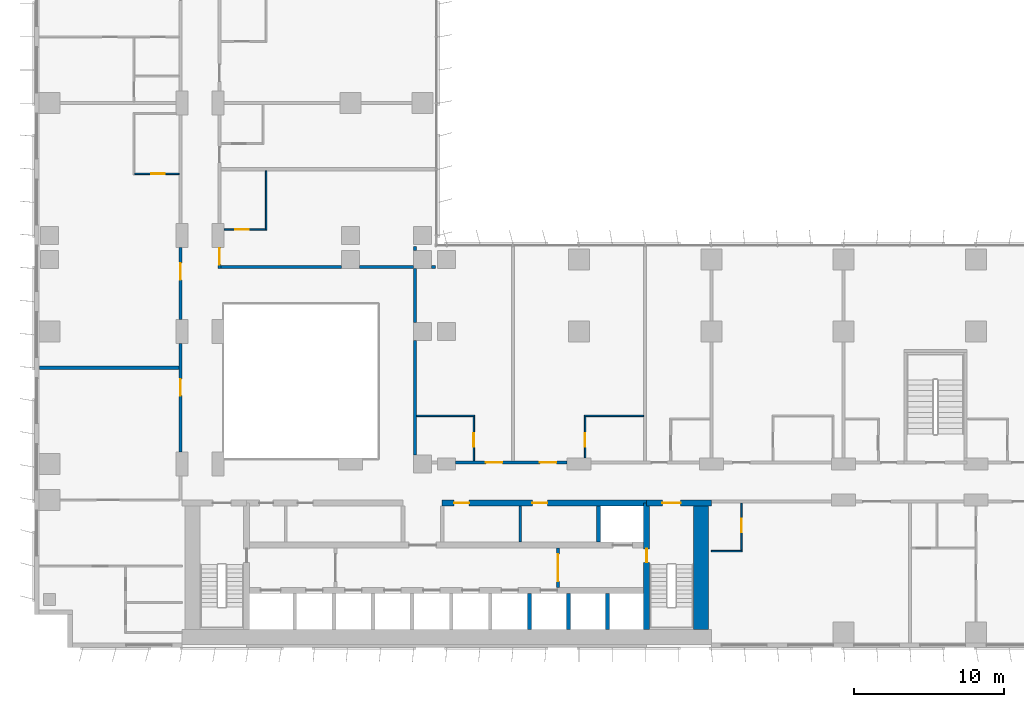
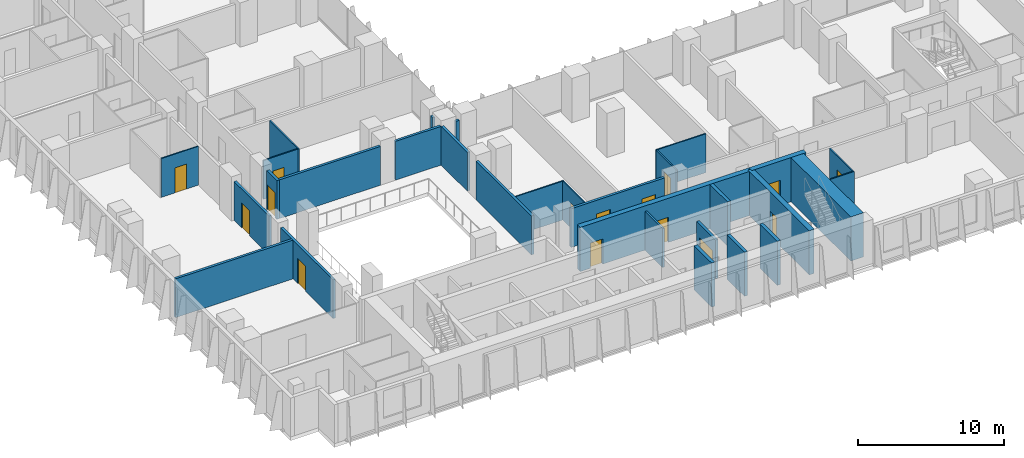
# One storey, part 13 of 24: 30 walls, 15 doors, 15 openings.
"""IFC4 building model written with IfcOpenShell, lengths in metres."""

import ifcopenshell
import ifcopenshell.guid

model = None  # the IFC model being written
_history = None  # IfcOwnerHistory: only IFC2X3 demands one
_inside = {}  # id of a spatial element -> (the spatial element, [elements in it])
_under = {}  # id of a project, library or spatial element -> (it, [spatial elements below it])
_declared = {}  # id of a project -> (the project, [libraries it declares])
_typed = {}  # id of a type object -> (the type object, [elements of that type])
_made_of = {}  # id of a material, layer set ... -> (it, [elements and type objects made of it])


def new_model(schema):
    """Start an empty IFC model of exactly this schema.

    Asked for "IFC4X3", IfcOpenShell would pick the latest addendum, in which some entities
    have other attributes; the version numbers below select the first issue.
    IFC2X3 requires an IfcOwnerHistory on every rooted entity: one is made here for all.
    """
    global model, _history
    if schema == "IFC4X3":
        model = ifcopenshell.file(schema_version=(4, 3, 0, 0))
    else:
        model = ifcopenshell.file(schema=schema)
    _inside.clear()
    _under.clear()
    _declared.clear()
    _typed.clear()
    _made_of.clear()
    _history = None
    if model.schema == "IFC2X3":
        org = make("IfcOrganization", Name="unknown")
        user = make(
            "IfcPersonAndOrganization",
            ThePerson=make("IfcPerson", FamilyName="unknown"),
            TheOrganization=org,
        )
        app = make(
            "IfcApplication",
            ApplicationDeveloper=org,
            Version="unknown",
            ApplicationFullName="unknown",
            ApplicationIdentifier="unknown",
        )
        _history = make(
            "IfcOwnerHistory",
            OwningUser=user,
            OwningApplication=app,
            ChangeAction="ADDED",
            CreationDate=0,
        )
    return model


def make(cls, **values):
    """One entity of the class cls with the attributes given. An attribute that is None is left unset."""
    return model.create_entity(
        cls, **{name: value for name, value in values.items() if value is not None}
    )


def rooted(cls, **values):
    """An entity with a GlobalId (a new one), such as an element, a storey or a relation."""
    return make(cls, GlobalId=ifcopenshell.guid.new(), OwnerHistory=_history, **values)


def si_unit(unit_type, name, prefix=None):
    """IfcSIUnit, for example si_unit("LENGTHUNIT", "METRE", prefix="MILLI")."""
    return make("IfcSIUnit", UnitType=unit_type, Prefix=prefix, Name=name)


def assignment(units):
    """IfcUnitAssignment: the units of a project."""
    return None if units is None else make("IfcUnitAssignment", Units=units)


def point(xyz):
    """IfcCartesianPoint."""
    return None if xyz is None else make("IfcCartesianPoint", Coordinates=xyz)


def direction(xyz):
    """IfcDirection."""
    return None if xyz is None else make("IfcDirection", DirectionRatios=xyz)


def frame(location, z_axis=None, x_axis=None):
    """IfcAxis2Placement3D, a coordinate frame: its origin and axes. An axis left out is left unset."""
    return make(
        "IfcAxis2Placement3D",
        Location=point(location),
        Axis=direction(z_axis),
        RefDirection=direction(x_axis),
    )


def frame_2d(location, x_axis=None):
    """IfcAxis2Placement2D, a coordinate frame in the plane: its origin and x axis."""
    return make(
        "IfcAxis2Placement2D", Location=point(location), RefDirection=direction(x_axis)
    )


def origin():
    """The frame at (0, 0, 0) with its axes left unset."""
    return frame((0.0, 0.0, 0.0))


def place(relative_to, where):
    """IfcLocalPlacement: puts the frame where relative to a parent placement (None: the world)."""
    return make(
        "IfcLocalPlacement", PlacementRelTo=relative_to, RelativePlacement=where
    )


def context(
    kind, dimensions, precision=None, world=None, true_north=None, identifier=None
):
    """IfcGeometricRepresentationContext, for example the 3D "Model" context."""
    return make(
        "IfcGeometricRepresentationContext",
        ContextIdentifier=identifier,
        ContextType=kind,
        CoordinateSpaceDimension=dimensions,
        Precision=precision,
        WorldCoordinateSystem=world,
        TrueNorth=true_north,
    )


def subcontext(parent, identifier, kind, view, scale=None):
    """IfcGeometricRepresentationSubContext, for example "Body" below "Model"."""
    return make(
        "IfcGeometricRepresentationSubContext",
        ContextIdentifier=identifier,
        ContextType=kind,
        ParentContext=parent,
        TargetScale=scale,
        TargetView=view,
    )


def project(units=None, contexts=None):
    """IfcProject with its units and contexts."""
    return rooted(
        "IfcProject",
        Name="project",
        RepresentationContexts=contexts,
        UnitsInContext=assignment(units),
    )


def spatial(cls, under=None, at=None, **own):
    """A site, building, storey or space (cls), placed at a placement, below another one or the project."""
    s = rooted(cls, ObjectPlacement=at, **own)
    if under is not None:
        _under.setdefault(under.id(), (under, []))[1].append(s)
    return s


def profile(cls, at=None, kind="AREA", **sizes):
    """A parametric profile (cls). Its sizes go by their IFC names, for example OverallWidth=200.0."""
    return make(cls, ProfileType=kind, Position=at, **sizes)


def rectangle(**sizes):
    """IfcRectangleProfileDef."""
    return profile("IfcRectangleProfileDef", **sizes)


def extrude(swept, where, along, depth):
    """IfcExtrudedAreaSolid: the profile swept, set in the frame where, extruded along a direction by depth."""
    return make(
        "IfcExtrudedAreaSolid",
        SweptArea=swept,
        Position=where,
        ExtrudedDirection=direction(along),
        Depth=depth,
    )


def shape(context_of_items, identifier, shape_type, items):
    """IfcShapeRepresentation: the items that make up one representation, for example the "Body"."""
    return make(
        "IfcShapeRepresentation",
        ContextOfItems=context_of_items,
        RepresentationIdentifier=identifier,
        RepresentationType=shape_type,
        Items=items,
    )


def material(Name=None, Category=None):
    """IfcMaterial."""
    return make("IfcMaterial", Name=Name, Category=Category)


def layer(
    of_material, thickness, ventilated=None, Name=None, Category=None, Priority=None
):
    """IfcMaterialLayer: one layer of a wall or slab, of a material (None: an air gap)."""
    return make(
        "IfcMaterialLayer",
        Material=of_material,
        LayerThickness=thickness,
        IsVentilated=ventilated,
        Name=Name,
        Category=Category,
        Priority=Priority,
    )


def layer_set(layers, Name=None):
    """IfcMaterialLayerSet."""
    return make("IfcMaterialLayerSet", MaterialLayers=layers, LayerSetName=Name)


def made_of(thing, what):
    """Note that an element or type object is made of a material, layer set ...; save() writes the relation."""
    if what is not None:
        _made_of.setdefault(what.id(), (what, []))[1].append(thing)
    return thing


def type_object(cls, material=None, **own):
    """A type object (cls), such as IfcWallType, which elements share."""
    return made_of(rooted(cls, **own), material)


def element(
    cls,
    number,
    at=None,
    inside=None,
    cuts=None,
    type_object=None,
    material=None,
    context=None,
    identifier="Body",
    shape_type=None,
    held_by="IfcProductDefinitionShape",
    body=None,
    shapes=None,
    **own,
):
    """One element of the class cls, such as IfcWall. Its Tag is "e" and its number.

    at: its placement. inside: the storey or other place that contains it. cuts: it is an
    opening in that element (IfcRelVoidsElement). A single representation is given by context,
    identifier, shape_type and body (its items); several are given by shapes. held_by: the class
    of the entity that holds the representations. save() writes the other relations.
    """
    e = rooted(cls, Tag="e%d" % number, ObjectPlacement=at, **own)
    if body is not None:
        shapes = [shape(context, identifier, shape_type, body)]
    if shapes is not None:
        e.Representation = make(held_by, Representations=shapes)
    if inside is not None:
        _inside.setdefault(inside.id(), (inside, []))[1].append(e)
    if cuts is not None:
        rooted(
            "IfcRelVoidsElement", RelatingBuildingElement=cuts, RelatedOpeningElement=e
        )
    if type_object is not None:
        _typed.setdefault(type_object.id(), (type_object, []))[1].append(e)
    return made_of(e, material)


def fill(opening, filler):
    """IfcRelFillsElement: the door or window that sits in an opening."""
    return rooted(
        "IfcRelFillsElement",
        RelatingOpeningElement=opening,
        RelatedBuildingElement=filler,
    )


def aggregate(whole, parts):
    """IfcRelAggregates: a whole, such as a stair, and the parts it consists of."""
    return rooted("IfcRelAggregates", RelatingObject=whole, RelatedObjects=parts)


def save(model, path):
    """Write the relations noted so far, then the file.

    IfcRelAggregates (storeys below a building ...), IfcRelContainedInSpatialStructure (elements
    in a storey), IfcRelDefinesByType, IfcRelAssociatesMaterial and IfcRelDeclares: one each for
    every whole, place, type object, material and project.
    """
    for whole, parts in _under.values():
        aggregate(whole, parts)
    for where, things in _inside.values():
        rooted(
            "IfcRelContainedInSpatialStructure",
            RelatedElements=things,
            RelatingStructure=where,
        )
    for kind, things in _typed.values():
        rooted("IfcRelDefinesByType", RelatedObjects=things, RelatingType=kind)
    for what, things in _made_of.values():
        rooted("IfcRelAssociatesMaterial", RelatedObjects=things, RelatingMaterial=what)
    for by, libraries in _declared.values():
        rooted("IfcRelDeclares", RelatingContext=by, RelatedDefinitions=libraries)
    model.write(path)


model = new_model("IFC4")

# Units and contexts
model_context = context("Model", 3, precision=1e-05, world=origin(), true_north=direction((0.0, 1.0)))
body_context = subcontext(model_context, "Body", "Model", "MODEL_VIEW")
ifc_project = project(units=[si_unit("LENGTHUNIT", "METRE"), si_unit("AREAUNIT", "SQUARE_METRE"), si_unit("VOLUMEUNIT", "CUBIC_METRE"), si_unit("PLANEANGLEUNIT", "RADIAN"), si_unit("MASSUNIT", "GRAM", prefix="KILO")], contexts=[model_context])

# Site, building, storey
site_placement = place(None, origin())
site = spatial("IfcSite", under=ifc_project, at=site_placement, CompositionType="ELEMENT")
building_placement = place(site_placement, origin())
building = spatial("IfcBuilding", under=site, at=building_placement, Name="Kemantara Hotel Tower", CompositionType="ELEMENT")
storey_placement = place(building_placement, frame((0.0, 0.0, 79.699951171875)))
storey = spatial("IfcBuildingStorey", under=building, at=storey_placement, Name="L18", CompositionType="ELEMENT", Elevation=79.699951171875)

# Walls
ifc_material_1 = material(Name="Concrete fc 70 MPa", Category="concrete")
ifc_layer_1 = layer(ifc_material_1, 1.0)
ifc_layer_set_1 = layer_set([ifc_layer_1], Name="Concrete fc 70 MPa")
wall_type_1 = type_object("IfcWallType", Name="CORE WALL 1000 FC70", PredefinedType="SHEAR", material=ifc_layer_set_1)
wall_1_placement = place(storey_placement, frame((44.300048828125, 1.199951171875, 0.0), z_axis=(0.0, 0.0, 1.0), x_axis=(0.0, 1.0, 0.0)))
element("IfcWall", 1, at=wall_1_placement, inside=storey, type_object=wall_type_1, Name="CORE WALL CW-E", PredefinedType="SHEAR", context=body_context, shape_type="SweptSolid", body=[
    extrude(rectangle(XDim=8.60009765625, YDim=1.0, at=frame_2d((4.300048828125, 0.0))), origin(), (0.0, 0.0, 1.0), 3.699951171875),
])
ifc_layer_2 = layer(ifc_material_1, 0.25)
ifc_layer_set_2 = layer_set([ifc_layer_2], Name="Concrete fc 70 MPa")
wall_type_2 = type_object("IfcWallType", Name="CORE WALL 250 FC70", PredefinedType="SHEAR", material=ifc_layer_set_2)
for number, where, z_axis, x_axis, name in (
    (2, (32.89990234375, 1.199951171875, 0.0), (0.0, 0.0, 1.0), (0.0, 1.0, 0.0), "CORE WALL CW-DS32.9"),
    (3, (35.5, 1.199951171875, 0.0), (0.0, 0.0, 1.0), (0.0, 1.0, 0.0), "CORE WALL CW-DS35.5"),
    (4, (38.10009765625, 1.199951171875, 0.0), (0.0, 0.0, 1.0), (0.0, 1.0, 0.0), "CORE WALL CW-DS38.1"),
):
    element("IfcWall", number, at=place(storey_placement, frame(where, z_axis=z_axis, x_axis=x_axis)), inside=storey, type_object=wall_type_2, Name=name, PredefinedType="SHEAR", context=body_context, shape_type="SweptSolid", body=[
        extrude(rectangle(XDim=2.400146484375, YDim=0.25, at=frame_2d((1.2001953125, 0.0))), origin(), (0.0, 0.0, 1.0), 3.699951171875),
    ])
wall_2_placement = place(storey_placement, frame((37.5, 7.0, 0.0), z_axis=(0.0, 0.0, 1.0), x_axis=(0.0, 1.0, 0.0)))
element("IfcWall", 5, at=wall_2_placement, inside=storey, type_object=wall_type_2, Name="CORE WALL CW-DN37.5", PredefinedType="SHEAR", context=body_context, shape_type="SweptSolid", body=[
    extrude(rectangle(XDim=2.39990234375, YDim=0.25, at=frame_2d((1.199951171875, 0.0))), origin(), (0.0, 0.0, 1.0), 3.699951171875),
])

# Wall, opening, door
ifc_layer_3 = layer(ifc_material_1, 0.39990234375)
ifc_layer_set_3 = layer_set([ifc_layer_3], Name="Concrete fc 70 MPa")
wall_type_3 = type_object("IfcWallType", Name="CORE WALL 400 FC70", PredefinedType="SHEAR", material=ifc_layer_set_3)
wall_3_placement = place(storey_placement, frame((40.699951171875, 9.60009765625, 0.0), z_axis=(0.0, 0.0, 1.0), x_axis=(1.0, 0.0, 0.0)))
wall_3 = element("IfcWall", 6, at=wall_3_placement, inside=storey, type_object=wall_type_3, Name="CORE WALL CW-N2", PredefinedType="SHEAR", context=body_context, shape_type="SweptSolid", body=[
    extrude(rectangle(XDim=4.300048828125, YDim=0.39990234375, at=frame_2d((2.14990234375, 0.0))), origin(), (0.0, 0.0, 1.0), 3.699951171875),
])
opening_1_placement = place(wall_3_placement, frame((1.050048828125, 0.0, 0.0)))
opening_1 = element("IfcOpeningElement", 7, at=opening_1_placement, cuts=wall_3, Name="Opening C13-ST2-C", PredefinedType="OPENING", context=body_context, shape_type="SweptSolid", body=[
    extrude(rectangle(XDim=1.199951171875, YDim=2.10009765625, at=frame_2d((0.60009765625, 1.050048828125))), frame((0.0, 0.2099609375, 0.0), z_axis=(0.0, -1.0, 0.0), x_axis=(1.0, 0.0, 0.0)), (0.0, 0.0, 1.0), 0.419921875),
])
ifc_material_2 = material(Name="Steel fire door", Category="steel")
door_type_1 = type_object("IfcDoorType", Name="Fire door FD90 1200 x 2100", OperationType="NOTDEFINED", PredefinedType="DOOR", material=ifc_material_2)
door_1_placement = place(opening_1_placement, frame((1.199951171875, 0.0, 0.0), z_axis=(0.0, 0.0, 1.0), x_axis=(-1.0, 0.0, 0.0)))
door_1 = element("IfcDoor", 8, at=door_1_placement, inside=storey, type_object=door_type_1, Name="Stair ST2 door to corridor", OperationType="SINGLE_SWING_RIGHT", OverallHeight=2.10009765625, OverallWidth=1.199951171875, PredefinedType="DOOR", context=body_context, shape_type="SweptSolid", body=[
    extrude(rectangle(XDim=1.199951171875, YDim=2.10009765625, at=frame_2d((0.60009765625, 1.050048828125))), frame((0.0, 0.02490234375, 0.0), z_axis=(0.0, -1.0, 0.0), x_axis=(1.0, 0.0, 0.0)), (0.0, 0.0, 1.0), 0.050048828125),
])
fill(opening_1, door_1)

# Wall, openings, doors
wall_4_placement = place(storey_placement, frame((27.10009765625, 9.60009765625, 0.0), z_axis=(0.0, 0.0, 1.0), x_axis=(1.0, 0.0, 0.0)))
wall_4 = element("IfcWall", 9, at=wall_4_placement, inside=storey, type_object=wall_type_3, Name="CORE WALL CW-NN2", PredefinedType="SHEAR", context=body_context, shape_type="SweptSolid", body=[
    extrude(rectangle(XDim=13.599853515625, YDim=0.39990234375, at=frame_2d((6.7998046875, 0.0))), origin(), (0.0, 0.0, 1.0), 3.699951171875),
])
opening_2_placement = place(wall_4_placement, frame((0.800048828125, 0.0, 0.0)))
opening_2 = element("IfcOpeningElement", 10, at=opening_2_placement, cuts=wall_4, Name="Opening C13-R-NE1", PredefinedType="OPENING", context=body_context, shape_type="SweptSolid", body=[
    extrude(rectangle(XDim=1.0, YDim=2.10009765625, at=frame_2d((0.5, 1.050048828125))), frame((0.0, 0.2099609375, 0.0), z_axis=(0.0, -1.0, 0.0), x_axis=(1.0, 0.0, 0.0)), (0.0, 0.0, 1.0), 0.419921875),
])
opening_3_placement = place(wall_4_placement, frame((6.0, 0.0, 0.0)))
opening_3 = element("IfcOpeningElement", 11, at=opening_3_placement, cuts=wall_4, Name="Opening C13-R-NE2", PredefinedType="OPENING", context=body_context, shape_type="SweptSolid", body=[
    extrude(rectangle(XDim=1.0, YDim=2.10009765625, at=frame_2d((0.5, 1.050048828125))), frame((0.0, 0.2099609375, 0.0), z_axis=(0.0, -1.0, 0.0), x_axis=(1.0, 0.0, 0.0)), (0.0, 0.0, 1.0), 0.419921875),
])
door_type_2 = type_object("IfcDoorType", Name="Fire door FD30S 1000 x 2100", OperationType="NOTDEFINED", PredefinedType="DOOR", material=ifc_material_2)
door_2_placement = place(opening_2_placement, frame((1.0, 0.0, 0.0), z_axis=(0.0, 0.0, 1.0), x_axis=(-1.0, 0.0, 0.0)))
door_2 = element("IfcDoor", 12, at=door_2_placement, inside=storey, type_object=door_type_2, Name="Staff Lounge door", OperationType="SINGLE_SWING_RIGHT", OverallHeight=2.10009765625, OverallWidth=1.0, PredefinedType="DOOR", context=body_context, shape_type="SweptSolid", body=[
    extrude(rectangle(XDim=1.0, YDim=2.10009765625, at=frame_2d((0.5, 1.050048828125))), frame((0.0, 0.02490234375, 0.0), z_axis=(0.0, -1.0, 0.0), x_axis=(1.0, 0.0, 0.0)), (0.0, 0.0, 1.0), 0.050048828125),
])
fill(opening_2, door_2)
door_type_3 = type_object("IfcDoorType", Name="Fire door FD60 1000 x 2100", OperationType="NOTDEFINED", PredefinedType="DOOR", material=ifc_material_2)
door_3_placement = place(opening_3_placement, frame((1.0, 0.0, 0.0), z_axis=(0.0, 0.0, 1.0), x_axis=(-1.0, 0.0, 0.0)))
door_3 = element("IfcDoor", 13, at=door_3_placement, inside=storey, type_object=door_type_3, Name="It Equipment Room door", OperationType="SINGLE_SWING_RIGHT", OverallHeight=2.10009765625, OverallWidth=1.0, PredefinedType="DOOR", context=body_context, shape_type="SweptSolid", body=[
    extrude(rectangle(XDim=1.0, YDim=2.10009765625, at=frame_2d((0.5, 1.050048828125))), frame((0.0, 0.02490234375, 0.0), z_axis=(0.0, -1.0, 0.0), x_axis=(1.0, 0.0, 0.0)), (0.0, 0.0, 1.0), 0.050048828125),
])
fill(opening_3, door_3)

# Wall, opening, door
wall_5_placement = place(storey_placement, frame((40.699951171875, 1.199951171875, 0.0), z_axis=(0.0, 0.0, 1.0), x_axis=(0.0, 1.0, 0.0)))
wall_5 = element("IfcWall", 14, at=wall_5_placement, inside=storey, type_object=wall_type_3, Name="CORE WALL CW-ST2W", PredefinedType="SHEAR", context=body_context, shape_type="SweptSolid", body=[
    extrude(rectangle(XDim=8.400146484375, YDim=0.39990234375, at=frame_2d((4.2001953125, 0.0))), origin(), (0.0, 0.0, 1.0), 3.699951171875),
])
opening_4_placement = place(wall_5_placement, frame((4.449951171875, 0.0, 0.0)))
opening_4 = element("IfcOpeningElement", 15, at=opening_4_placement, cuts=wall_5, Name="Opening C13-ST2-F", PredefinedType="OPENING", context=body_context, shape_type="SweptSolid", body=[
    extrude(rectangle(XDim=0.89990234375, YDim=2.10009765625, at=frame_2d((0.449951171875, 1.050048828125))), frame((0.0, 0.2099609375, 0.0), z_axis=(0.0, -1.0, 0.0), x_axis=(1.0, 0.0, 0.0)), (0.0, 0.0, 1.0), 0.419921875),
])
door_type_4 = type_object("IfcDoorType", Name="Fire door FD90 900 x 2100", OperationType="NOTDEFINED", PredefinedType="DOOR", material=ifc_material_2)
door_4_placement = place(opening_4_placement, frame((0.89990234375, 0.0, 0.0), z_axis=(0.0, 0.0, 1.0), x_axis=(-1.0, 0.0, 0.0)))
door_4 = element("IfcDoor", 16, at=door_4_placement, inside=storey, type_object=door_type_4, Name="Stair ST2 door to firefighting lobby", OperationType="SINGLE_SWING_LEFT", OverallHeight=2.10009765625, OverallWidth=0.89990234375, PredefinedType="DOOR", context=body_context, shape_type="SweptSolid", body=[
    extrude(rectangle(XDim=0.89990234375, YDim=2.10009765625, at=frame_2d((0.449951171875, 1.050048828125))), frame((0.0, 0.02490234375, 0.0), z_axis=(0.0, -1.0, 0.0), x_axis=(1.0, 0.0, 0.0)), (0.0, 0.0, 1.0), 0.050048828125),
])
fill(opening_4, door_4)

# Wall, openings, doors
ifc_material_3 = material(Name="Gypsum board partition, steel studs and mineral wool, 200 mm", Category="steel")
ifc_layer_4 = layer(ifc_material_3, 0.199951171875)
ifc_layer_set_4 = layer_set([ifc_layer_4], Name="Gypsum board partition, steel studs and mineral wool, 200 mm")
wall_type_4 = type_object("IfcWallType", Name="CORRIDOR WALL 200", PredefinedType="PARTITIONING", material=ifc_layer_set_4)
wall_6_placement = place(storey_placement, frame((28.0, 12.300048828125, 0.0), z_axis=(0.0, 0.0, 1.0), x_axis=(1.0, 0.0, 0.0)))
wall_6 = element("IfcWall", 17, at=wall_6_placement, inside=storey, type_object=wall_type_4, Name="CORRIDOR WALL 200 010", PredefinedType="PARTITIONING", context=body_context, shape_type="SweptSolid", body=[
    extrude(rectangle(XDim=7.39990234375, YDim=0.199951171875, at=frame_2d((3.699951171875, 0.0))), origin(), (0.0, 0.0, 1.0), 3.25),
])
opening_5_placement = place(wall_6_placement, frame((2.0, 0.0, 0.0)))
opening_5 = element("IfcOpeningElement", 18, at=opening_5_placement, cuts=wall_6, Name="Opening F06-013", PredefinedType="OPENING", context=body_context, shape_type="SweptSolid", body=[
    extrude(rectangle(XDim=1.10009765625, YDim=2.10009765625, at=frame_2d((0.550048828125, 1.050048828125))), frame((0.0, 0.10986328125, 0.0), z_axis=(0.0, -1.0, 0.0), x_axis=(1.0, 0.0, 0.0)), (0.0, 0.0, 1.0), 0.219970703125),
])
opening_6_placement = place(wall_6_placement, frame((5.599853515625, 0.0, 0.0)))
opening_6 = element("IfcOpeningElement", 19, at=opening_6_placement, cuts=wall_6, Name="Opening F06-015", PredefinedType="OPENING", context=body_context, shape_type="SweptSolid", body=[
    extrude(rectangle(XDim=1.10009765625, YDim=2.10009765625, at=frame_2d((0.550048828125, 1.050048828125))), frame((0.0, 0.10986328125, 0.0), z_axis=(0.0, -1.0, 0.0), x_axis=(1.0, 0.0, 0.0)), (0.0, 0.0, 1.0), 0.219970703125),
])
ifc_material_4 = material(Name="Hardwood veneer door leaf with steel frame", Category="steel")
door_type_5 = type_object("IfcDoorType", Name="SUITE ENTRANCE DOOR 1100 X 2100 FD30S", OperationType="NOTDEFINED", PredefinedType="DOOR", material=ifc_material_4)
door_5_placement = place(opening_5_placement, origin())
door_5 = element("IfcDoor", 20, at=door_5_placement, inside=storey, type_object=door_type_5, Name="SUITE ENTRANCE DOOR F06-013", OperationType="SINGLE_SWING_RIGHT", OverallHeight=2.10009765625, OverallWidth=1.10009765625, PredefinedType="DOOR", context=body_context, shape_type="SweptSolid", body=[
    extrude(rectangle(XDim=1.10009765625, YDim=2.10009765625, at=frame_2d((0.550048828125, 1.050048828125))), frame((0.0, 0.02490234375, 0.0), z_axis=(0.0, -1.0, 0.0), x_axis=(1.0, 0.0, 0.0)), (0.0, 0.0, 1.0), 0.050048828125),
])
fill(opening_5, door_5)
door_6_placement = place(opening_6_placement, origin())
door_6 = element("IfcDoor", 21, at=door_6_placement, inside=storey, type_object=door_type_5, Name="SUITE ENTRANCE DOOR F06-015", OperationType="SINGLE_SWING_LEFT", OverallHeight=2.10009765625, OverallWidth=1.10009765625, PredefinedType="DOOR", context=body_context, shape_type="SweptSolid", body=[
    extrude(rectangle(XDim=1.10009765625, YDim=2.10009765625, at=frame_2d((0.550048828125, 1.050048828125))), frame((0.0, 0.02490234375, 0.0), z_axis=(0.0, -1.0, 0.0), x_axis=(1.0, 0.0, 0.0)), (0.0, 0.0, 1.0), 0.050048828125),
])
fill(opening_6, door_6)

# Wall, opening, door
wall_7_placement = place(storey_placement, frame((9.699951171875, 13.0, 0.0), z_axis=(0.0, 0.0, 1.0), x_axis=(0.0, 1.0, 0.0)))
wall_7 = element("IfcWall", 22, at=wall_7_placement, inside=storey, type_object=wall_type_4, Name="CORRIDOR WALL 200 026", PredefinedType="PARTITIONING", context=body_context, shape_type="SweptSolid", body=[
    extrude(rectangle(XDim=7.199951171875, YDim=0.199951171875, at=frame_2d((3.60009765625, 0.0))), origin(), (0.0, 0.0, 1.0), 3.25),
])
opening_7_placement = place(wall_7_placement, frame((3.75, 0.0, 0.0)))
opening_7 = element("IfcOpeningElement", 23, at=opening_7_placement, cuts=wall_7, Name="Opening F06-029", PredefinedType="OPENING", context=body_context, shape_type="SweptSolid", body=[
    extrude(rectangle(XDim=1.10009765625, YDim=2.10009765625, at=frame_2d((0.550048828125, 1.050048828125))), frame((0.0, 0.10986328125, 0.0), z_axis=(0.0, -1.0, 0.0), x_axis=(1.0, 0.0, 0.0)), (0.0, 0.0, 1.0), 0.219970703125),
])
door_7_placement = place(opening_7_placement, origin())
door_7 = element("IfcDoor", 24, at=door_7_placement, inside=storey, type_object=door_type_5, Name="SUITE ENTRANCE DOOR F06-029", OperationType="SINGLE_SWING_RIGHT", OverallHeight=2.10009765625, OverallWidth=1.10009765625, PredefinedType="DOOR", context=body_context, shape_type="SweptSolid", body=[
    extrude(rectangle(XDim=1.10009765625, YDim=2.10009765625, at=frame_2d((0.550048828125, 1.050048828125))), frame((0.0, 0.02490234375, 0.0), z_axis=(0.0, -1.0, 0.0), x_axis=(1.0, 0.0, 0.0)), (0.0, 0.0, 1.0), 0.050048828125),
])
fill(opening_7, door_7)

wall_8_placement = place(storey_placement, frame((9.699951171875, 21.800048828125, 0.0), z_axis=(0.0, 0.0, 1.0), x_axis=(0.0, 1.0, 0.0)))
wall_8 = element("IfcWall", 25, at=wall_8_placement, inside=storey, type_object=wall_type_4, Name="CORRIDOR WALL 200 027", PredefinedType="PARTITIONING", context=body_context, shape_type="SweptSolid", body=[
    extrude(rectangle(XDim=4.7998046875, YDim=0.199951171875, at=frame_2d((2.39990234375, 0.0))), origin(), (0.0, 0.0, 1.0), 3.25),
])
opening_8_placement = place(wall_8_placement, frame((2.64990234375, 0.0, 0.0)))
opening_8 = element("IfcOpeningElement", 26, at=opening_8_placement, cuts=wall_8, Name="Opening F06-034", PredefinedType="OPENING", context=body_context, shape_type="SweptSolid", body=[
    extrude(rectangle(XDim=1.10009765625, YDim=2.10009765625, at=frame_2d((0.550048828125, 1.050048828125))), frame((0.0, 0.10986328125, 0.0), z_axis=(0.0, -1.0, 0.0), x_axis=(1.0, 0.0, 0.0)), (0.0, 0.0, 1.0), 0.219970703125),
])
door_8_placement = place(opening_8_placement, origin())
door_8 = element("IfcDoor", 27, at=door_8_placement, inside=storey, type_object=door_type_5, Name="SUITE ENTRANCE DOOR F06-034", OperationType="SINGLE_SWING_LEFT", OverallHeight=2.10009765625, OverallWidth=1.10009765625, PredefinedType="DOOR", context=body_context, shape_type="SweptSolid", body=[
    extrude(rectangle(XDim=1.10009765625, YDim=2.10009765625, at=frame_2d((0.550048828125, 1.050048828125))), frame((0.0, 0.02490234375, 0.0), z_axis=(0.0, -1.0, 0.0), x_axis=(1.0, 0.0, 0.0)), (0.0, 0.0, 1.0), 0.050048828125),
])
fill(opening_8, door_8)

wall_9_placement = place(storey_placement, frame((12.300048828125, 26.599853515625, 0.0), z_axis=(0.0, 0.0, 1.0), x_axis=(0.0, -1.0, 0.0)))
wall_9 = element("IfcWall", 28, at=wall_9_placement, inside=storey, type_object=wall_type_4, Name="CORRIDOR WALL 200 044", PredefinedType="PARTITIONING", context=body_context, shape_type="SweptSolid", body=[
    extrude(rectangle(XDim=1.39990234375, YDim=0.199951171875, at=frame_2d((0.699951171875, 0.0))), origin(), (0.0, 0.0, 1.0), 3.25),
])
opening_9_placement = place(wall_9_placement, frame((0.0498046875, 0.0, 0.0)))
opening_9 = element("IfcOpeningElement", 29, at=opening_9_placement, cuts=wall_9, Name="Opening F06-052", PredefinedType="OPENING", context=body_context, shape_type="SweptSolid", body=[
    extrude(rectangle(XDim=1.10009765625, YDim=2.10009765625, at=frame_2d((0.550048828125, 1.050048828125))), frame((0.0, 0.10986328125, 0.0), z_axis=(0.0, -1.0, 0.0), x_axis=(1.0, 0.0, 0.0)), (0.0, 0.0, 1.0), 0.219970703125),
])
door_9_placement = place(opening_9_placement, origin())
door_9 = element("IfcDoor", 30, at=door_9_placement, inside=storey, type_object=door_type_5, Name="SUITE ENTRANCE DOOR F06-052", OperationType="SINGLE_SWING_RIGHT", OverallHeight=2.10009765625, OverallWidth=1.10009765625, PredefinedType="DOOR", context=body_context, shape_type="SweptSolid", body=[
    extrude(rectangle(XDim=1.10009765625, YDim=2.10009765625, at=frame_2d((0.550048828125, 1.050048828125))), frame((0.0, 0.02490234375, 0.0), z_axis=(0.0, -1.0, 0.0), x_axis=(1.0, 0.0, 0.0)), (0.0, 0.0, 1.0), 0.050048828125),
])
fill(opening_9, door_9)

# Walls
ifc_layer_5 = layer(ifc_material_3, 0.199951171875)
ifc_layer_set_5 = layer_set([ifc_layer_5], Name="Gypsum board partition, steel studs and mineral wool, 200 mm")
wall_type_5 = type_object("IfcWallType", Name="GUEST ROOM PARTY WALL 200", PredefinedType="PARTITIONING", material=ifc_layer_set_5)
wall_10_placement = place(storey_placement, frame((25.300048828125, 12.800048828125, 0.0), z_axis=(0.0, 0.0, 1.0), x_axis=(0.0, 1.0, 0.0)))
element("IfcWall", 31, at=wall_10_placement, inside=storey, type_object=wall_type_5, Name="GUEST ROOM PARTY WALL 200 016", PredefinedType="PARTITIONING", context=body_context, shape_type="SweptSolid", body=[
    extrude(rectangle(XDim=7.599853515625, YDim=0.199951171875, at=frame_2d((3.7998046875, 0.0))), origin(), (0.0, 0.0, 1.0), 3.25),
])
wall_11_placement = place(storey_placement, frame((25.300048828125, 21.60009765625, 0.0), z_axis=(0.0, 0.0, 1.0), x_axis=(0.0, 1.0, 0.0)))
element("IfcWall", 32, at=wall_11_placement, inside=storey, type_object=wall_type_5, Name="GUEST ROOM PARTY WALL 200 017", PredefinedType="PARTITIONING", context=body_context, shape_type="SweptSolid", body=[
    extrude(rectangle(XDim=3.599853515625, YDim=0.199951171875, at=frame_2d((1.7998046875, 0.0))), origin(), (0.0, 0.0, 1.0), 3.25),
])
wall_12_placement = place(storey_placement, frame((25.300048828125, 26.400146484375, 0.0), z_axis=(0.0, 0.0, 1.0), x_axis=(0.0, 1.0, 0.0)))
element("IfcWall", 33, at=wall_12_placement, inside=storey, type_object=wall_type_5, Name="GUEST ROOM PARTY WALL 200 018", PredefinedType="PARTITIONING", context=body_context, shape_type="SweptSolid", body=[
    extrude(rectangle(XDim=0.269775390625, YDim=0.199951171875, at=frame_2d((0.134765625, 0.0))), origin(), (0.0, 0.0, 1.0), 3.25),
])
wall_13_placement = place(storey_placement, frame((0.31005859375, 18.60009765625, 0.0), z_axis=(0.0, 0.0, 1.0), x_axis=(1.0, 0.0, 0.0)))
element("IfcWall", 34, at=wall_13_placement, inside=storey, type_object=wall_type_5, Name="GUEST ROOM PARTY WALL 200 034", PredefinedType="PARTITIONING", context=body_context, shape_type="SweptSolid", body=[
    extrude(rectangle(XDim=9.2900390625, YDim=0.199951171875, at=frame_2d((4.64501953125, 0.0))), origin(), (0.0, 0.0, 1.0), 3.25),
])
wall_14_placement = place(storey_placement, frame((12.39990234375, 25.300048828125, 0.0), z_axis=(0.0, 0.0, 1.0), x_axis=(1.0, 0.0, 0.0)))
element("IfcWall", 35, at=wall_14_placement, inside=storey, type_object=wall_type_5, Name="GUEST ROOM PARTY WALL 200 051", PredefinedType="PARTITIONING", context=body_context, shape_type="SweptSolid", body=[
    extrude(rectangle(XDim=8.0, YDim=0.199951171875, at=frame_2d((4.0, 0.0))), origin(), (0.0, 0.0, 1.0), 3.25),
])
wall_15_placement = place(storey_placement, frame((21.60009765625, 25.300048828125, 0.0), z_axis=(0.0, 0.0, 1.0), x_axis=(1.0, 0.0, 0.0)))
element("IfcWall", 36, at=wall_15_placement, inside=storey, type_object=wall_type_5, Name="GUEST ROOM PARTY WALL 200 052", PredefinedType="PARTITIONING", context=body_context, shape_type="SweptSolid", body=[
    extrude(rectangle(XDim=3.599853515625, YDim=0.199951171875, at=frame_2d((1.7998046875, 0.0))), origin(), (0.0, 0.0, 1.0), 3.25),
])
wall_16_placement = place(storey_placement, frame((26.400146484375, 25.300048828125, 0.0), z_axis=(0.0, 0.0, 1.0), x_axis=(1.0, 0.0, 0.0)))
element("IfcWall", 37, at=wall_16_placement, inside=storey, type_object=wall_type_5, Name="GUEST ROOM PARTY WALL 200 053", PredefinedType="PARTITIONING", context=body_context, shape_type="SweptSolid", body=[
    extrude(rectangle(XDim=0.269775390625, YDim=0.199951171875, at=frame_2d((0.134765625, 0.0))), origin(), (0.0, 0.0, 1.0), 3.25),
])
ifc_material_5 = material(Name="Gypsum board partition")
ifc_layer_6 = layer(ifc_material_5, 0.14990234375)
ifc_layer_set_6 = layer_set([ifc_layer_6], Name="Gypsum board partition")
wall_type_6 = type_object("IfcWallType", Name="Gypsum board partition 150 mm", PredefinedType="PARTITIONING", material=ifc_layer_set_6)
wall_17_placement = place(storey_placement, frame((32.300048828125, 7.0, 0.0), z_axis=(0.0, 0.0, 1.0), x_axis=(0.0, 1.0, 0.0)))
element("IfcWall", 38, at=wall_17_placement, inside=storey, type_object=wall_type_6, Name="Core room partition", PredefinedType="PARTITIONING", context=body_context, shape_type="SweptSolid", body=[
    extrude(rectangle(XDim=2.39990234375, YDim=0.14990234375, at=frame_2d((1.199951171875, 0.0))), origin(), (0.0, 0.0, 1.0), 3.25),
])

# Wall, opening, door
ifc_material_6 = material(Name="Gypsum board shaft wall")
ifc_layer_7 = layer(ifc_material_6, 0.199951171875)
ifc_layer_set_7 = layer_set([ifc_layer_7], Name="Gypsum board shaft wall")
wall_type_7 = type_object("IfcWallType", Name="Gypsum board shaft wall 200 mm", PredefinedType="PARTITIONING", material=ifc_layer_set_7)
wall_18_placement = place(storey_placement, frame((34.800048828125, 4.0, 0.0), z_axis=(0.0, 0.0, 1.0), x_axis=(0.0, 1.0, 0.0)))
wall_18 = element("IfcWall", 39, at=wall_18_placement, inside=storey, type_object=wall_type_7, Name="Firefighting lobby partition east", PredefinedType="PARTITIONING", context=body_context, shape_type="SweptSolid", body=[
    extrude(rectangle(XDim=2.60009765625, YDim=0.199951171875, at=frame_2d((1.300048828125, 0.0))), origin(), (0.0, 0.0, 1.0), 3.25),
])
opening_10_placement = place(wall_18_placement, frame((0.39990234375, 0.0, 0.0)))
opening_10 = element("IfcOpeningElement", 40, at=opening_10_placement, cuts=wall_18, Name="Opening C13-FFE", PredefinedType="OPENING", context=body_context, shape_type="SweptSolid", body=[
    extrude(rectangle(XDim=1.800048828125, YDim=2.10009765625, at=frame_2d((0.89990234375, 1.050048828125))), frame((0.0, 0.10986328125, 0.0), z_axis=(0.0, -1.0, 0.0), x_axis=(1.0, 0.0, 0.0)), (0.0, 0.0, 1.0), 0.219970703125),
])
door_type_6 = type_object("IfcDoorType", Name="Fire door pair FD60 1800 x 2100", OperationType="DOUBLE_DOOR_SINGLE_SWING", PredefinedType="DOOR", material=ifc_material_2)
door_10_placement = place(opening_10_placement, frame((1.800048828125, 0.0, 0.0), z_axis=(0.0, 0.0, 1.0), x_axis=(-1.0, 0.0, 0.0)))
door_10 = element("IfcDoor", 41, at=door_10_placement, inside=storey, type_object=door_type_6, Name="Firefighting lobby door east", OperationType="DOUBLE_DOOR_SINGLE_SWING", OverallHeight=2.10009765625, OverallWidth=1.800048828125, PredefinedType="DOOR", context=body_context, shape_type="SweptSolid", body=[
    extrude(rectangle(XDim=1.800048828125, YDim=2.10009765625, at=frame_2d((0.89990234375, 1.050048828125))), frame((0.0, 0.02490234375, 0.0), z_axis=(0.0, -1.0, 0.0), x_axis=(1.0, 0.0, 0.0)), (0.0, 0.0, 1.0), 0.050048828125),
])
fill(opening_10, door_10)

# Wall
ifc_material_7 = material(Name="Gypsum board partition on steel studs, 100 mm", Category="steel")
ifc_layer_8 = layer(ifc_material_7, 0.10009765625)
ifc_layer_set_8 = layer_set([ifc_layer_8], Name="Gypsum board partition on steel studs, 100 mm")
wall_type_8 = type_object("IfcWallType", Name="ROOM PARTITION 100", PredefinedType="PARTITIONING", material=ifc_layer_set_8)
wall_19_placement = place(storey_placement, frame((45.0, 6.39990234375, 0.0), z_axis=(0.0, 0.0, 1.0), x_axis=(1.0, 0.0, 0.0)))
element("IfcWall", 42, at=wall_19_placement, inside=storey, type_object=wall_type_8, Name="ROOM PARTITION 100 058", PredefinedType="PARTITIONING", context=body_context, shape_type="SweptSolid", body=[
    extrude(rectangle(XDim=2.050048828125, YDim=0.10009765625, at=frame_2d((1.02490234375, 0.0))), origin(), (0.0, 0.0, 1.0), 3.25),
])

# Wall, opening, door
wall_20_placement = place(storey_placement, frame((47.0, 6.449951171875, 0.0), z_axis=(0.0, 0.0, 1.0), x_axis=(0.0, 1.0, 0.0)))
wall_20 = element("IfcWall", 43, at=wall_20_placement, inside=storey, type_object=wall_type_8, Name="ROOM PARTITION 100 059", PredefinedType="PARTITIONING", context=body_context, shape_type="SweptSolid", body=[
    extrude(rectangle(XDim=3.150146484375, YDim=0.10009765625, at=frame_2d((1.5751953125, 0.0))), origin(), (0.0, 0.0, 1.0), 3.25),
])
opening_11_placement = place(wall_20_placement, frame((1.199951171875, 0.0, 0.0)))
opening_11 = element("IfcOpeningElement", 44, at=opening_11_placement, cuts=wall_20, Name="Opening F06-002", PredefinedType="OPENING", context=body_context, shape_type="SweptSolid", body=[
    extrude(rectangle(XDim=0.89990234375, YDim=2.10009765625, at=frame_2d((0.449951171875, 1.050048828125))), frame((0.0, 0.06005859375, 0.0), z_axis=(0.0, -1.0, 0.0), x_axis=(1.0, 0.0, 0.0)), (0.0, 0.0, 1.0), 0.1201171875),
])
door_type_7 = type_object("IfcDoorType", Name="PANTRY DOOR 900 X 2100", OperationType="NOTDEFINED", PredefinedType="DOOR", material=ifc_material_4)
door_11_placement = place(opening_11_placement, origin())
door_11 = element("IfcDoor", 45, at=door_11_placement, inside=storey, type_object=door_type_7, Name="PANTRY DOOR F06-002", OperationType="SINGLE_SWING_RIGHT", OverallHeight=2.10009765625, OverallWidth=0.89990234375, PredefinedType="DOOR", context=body_context, shape_type="SweptSolid", body=[
    extrude(rectangle(XDim=0.89990234375, YDim=2.10009765625, at=frame_2d((0.449951171875, 1.050048828125))), frame((0.0, 0.02490234375, 0.0), z_axis=(0.0, -1.0, 0.0), x_axis=(1.0, 0.0, 0.0)), (0.0, 0.0, 1.0), 0.050048828125),
])
fill(opening_11, door_11)

# Walls
wall_21_placement = place(storey_placement, frame((25.39990234375, 15.39990234375, 0.0), z_axis=(0.0, 0.0, 1.0), x_axis=(1.0, 0.0, 0.0)))
element("IfcWall", 46, at=wall_21_placement, inside=storey, type_object=wall_type_8, Name="ROOM PARTITION 100 068", PredefinedType="PARTITIONING", context=body_context, shape_type="SweptSolid", body=[
    extrude(rectangle(XDim=3.85009765625, YDim=0.10009765625, at=frame_2d((1.925048828125, 0.0))), origin(), (0.0, 0.0, 1.0), 3.25),
])
wall_22_placement = place(storey_placement, frame((36.550048828125, 15.39990234375, 0.0), z_axis=(0.0, 0.0, 1.0), x_axis=(1.0, 0.0, 0.0)))
element("IfcWall", 47, at=wall_22_placement, inside=storey, type_object=wall_type_8, Name="ROOM PARTITION 100 069", PredefinedType="PARTITIONING", context=body_context, shape_type="SweptSolid", body=[
    extrude(rectangle(XDim=3.949951171875, YDim=0.10009765625, at=frame_2d((1.97509765625, 0.0))), origin(), (0.0, 0.0, 1.0), 3.25),
])

# Wall, opening, door
wall_23_placement = place(storey_placement, frame((29.199951171875, 12.39990234375, 0.0), z_axis=(0.0, 0.0, 1.0), x_axis=(0.0, 1.0, 0.0)))
wall_23 = element("IfcWall", 48, at=wall_23_placement, inside=storey, type_object=wall_type_8, Name="ROOM PARTITION 100 071", PredefinedType="PARTITIONING", context=body_context, shape_type="SweptSolid", body=[
    extrude(rectangle(XDim=2.9501953125, YDim=0.10009765625, at=frame_2d((1.47509765625, 0.0))), origin(), (0.0, 0.0, 1.0), 3.25),
])
opening_12_placement = place(wall_23_placement, frame((0.949951171875, 0.0, 0.0)))
opening_12 = element("IfcOpeningElement", 49, at=opening_12_placement, cuts=wall_23, Name="Opening F06-014", PredefinedType="OPENING", context=body_context, shape_type="SweptSolid", body=[
    extrude(rectangle(XDim=0.89990234375, YDim=2.10009765625, at=frame_2d((0.449951171875, 1.050048828125))), frame((0.0, 0.06005859375, 0.0), z_axis=(0.0, -1.0, 0.0), x_axis=(1.0, 0.0, 0.0)), (0.0, 0.0, 1.0), 0.1201171875),
])
door_type_8 = type_object("IfcDoorType", Name="BATHROOM DOOR 900 X 2100", OperationType="NOTDEFINED", PredefinedType="DOOR", material=ifc_material_4)
door_12_placement = place(opening_12_placement, origin())
door_12 = element("IfcDoor", 50, at=door_12_placement, inside=storey, type_object=door_type_8, Name="BATHROOM DOOR F06-014", OperationType="SINGLE_SWING_LEFT", OverallHeight=2.10009765625, OverallWidth=0.89990234375, PredefinedType="DOOR", context=body_context, shape_type="SweptSolid", body=[
    extrude(rectangle(XDim=0.89990234375, YDim=2.10009765625, at=frame_2d((0.449951171875, 1.050048828125))), frame((0.0, 0.02490234375, 0.0), z_axis=(0.0, -1.0, 0.0), x_axis=(1.0, 0.0, 0.0)), (0.0, 0.0, 1.0), 0.050048828125),
])
fill(opening_12, door_12)

wall_24_placement = place(storey_placement, frame((36.60009765625, 15.35009765625, 0.0), z_axis=(0.0, 0.0, 1.0), x_axis=(0.0, -1.0, 0.0)))
wall_24 = element("IfcWall", 51, at=wall_24_placement, inside=storey, type_object=wall_type_8, Name="ROOM PARTITION 100 072", PredefinedType="PARTITIONING", context=body_context, shape_type="SweptSolid", body=[
    extrude(rectangle(XDim=2.75, YDim=0.10009765625, at=frame_2d((1.375, 0.0))), origin(), (0.0, 0.0, 1.0), 3.25),
])
opening_13_placement = place(wall_24_placement, frame((1.10009765625, 0.0, 0.0)))
opening_13 = element("IfcOpeningElement", 52, at=opening_13_placement, cuts=wall_24, Name="Opening F06-016", PredefinedType="OPENING", context=body_context, shape_type="SweptSolid", body=[
    extrude(rectangle(XDim=0.89990234375, YDim=2.10009765625, at=frame_2d((0.449951171875, 1.050048828125))), frame((0.0, 0.06005859375, 0.0), z_axis=(0.0, -1.0, 0.0), x_axis=(1.0, 0.0, 0.0)), (0.0, 0.0, 1.0), 0.1201171875),
])
door_13_placement = place(opening_13_placement, origin())
door_13 = element("IfcDoor", 53, at=door_13_placement, inside=storey, type_object=door_type_8, Name="BATHROOM DOOR F06-016", OperationType="SINGLE_SWING_RIGHT", OverallHeight=2.10009765625, OverallWidth=0.89990234375, PredefinedType="DOOR", context=body_context, shape_type="SweptSolid", body=[
    extrude(rectangle(XDim=0.89990234375, YDim=2.10009765625, at=frame_2d((0.449951171875, 1.050048828125))), frame((0.0, 0.02490234375, 0.0), z_axis=(0.0, -1.0, 0.0), x_axis=(1.0, 0.0, 0.0)), (0.0, 0.0, 1.0), 0.050048828125),
])
fill(opening_13, door_13)

wall_25_placement = place(storey_placement, frame((6.64990234375, 31.5, 0.0), z_axis=(0.0, 0.0, 1.0), x_axis=(1.0, 0.0, 0.0)))
wall_25 = element("IfcWall", 54, at=wall_25_placement, inside=storey, type_object=wall_type_8, Name="ROOM PARTITION 100 095", PredefinedType="PARTITIONING", context=body_context, shape_type="SweptSolid", body=[
    extrude(rectangle(XDim=2.9501953125, YDim=0.10009765625, at=frame_2d((1.47509765625, 0.0))), origin(), (0.0, 0.0, 1.0), 3.25),
])
opening_14_placement = place(wall_25_placement, frame((1.10009765625, 0.0, 0.0)))
opening_14 = element("IfcOpeningElement", 55, at=opening_14_placement, cuts=wall_25, Name="Opening F06-035", PredefinedType="OPENING", context=body_context, shape_type="SweptSolid", body=[
    extrude(rectangle(XDim=0.89990234375, YDim=2.10009765625, at=frame_2d((0.449951171875, 1.050048828125))), frame((0.0, 0.06005859375, 0.0), z_axis=(0.0, -1.0, 0.0), x_axis=(1.0, 0.0, 0.0)), (0.0, 0.0, 1.0), 0.1201171875),
])
door_14_placement = place(opening_14_placement, origin())
door_14 = element("IfcDoor", 56, at=door_14_placement, inside=storey, type_object=door_type_8, Name="BATHROOM DOOR F06-035", OperationType="SINGLE_SWING_RIGHT", OverallHeight=2.10009765625, OverallWidth=0.89990234375, PredefinedType="DOOR", context=body_context, shape_type="SweptSolid", body=[
    extrude(rectangle(XDim=0.89990234375, YDim=2.10009765625, at=frame_2d((0.449951171875, 1.050048828125))), frame((0.0, 0.02490234375, 0.0), z_axis=(0.0, -1.0, 0.0), x_axis=(1.0, 0.0, 0.0)), (0.0, 0.0, 1.0), 0.050048828125),
])
fill(opening_14, door_14)

# Wall
wall_26_placement = place(storey_placement, frame((15.39990234375, 27.75, 0.0), z_axis=(0.0, 0.0, 1.0), x_axis=(0.0, 1.0, 0.0)))
element("IfcWall", 57, at=wall_26_placement, inside=storey, type_object=wall_type_8, Name="ROOM PARTITION 100 106", PredefinedType="PARTITIONING", context=body_context, shape_type="SweptSolid", body=[
    extrude(rectangle(XDim=3.949951171875, YDim=0.10009765625, at=frame_2d((1.97509765625, 0.0))), origin(), (0.0, 0.0, 1.0), 3.25),
])

# Wall, opening, door
wall_27_placement = place(storey_placement, frame((12.60009765625, 27.800048828125, 0.0), z_axis=(0.0, 0.0, 1.0), x_axis=(1.0, 0.0, 0.0)))
wall_27 = element("IfcWall", 58, at=wall_27_placement, inside=storey, type_object=wall_type_8, Name="ROOM PARTITION 100 110", PredefinedType="PARTITIONING", context=body_context, shape_type="SweptSolid", body=[
    extrude(rectangle(XDim=2.75, YDim=0.10009765625, at=frame_2d((1.375, 0.0))), origin(), (0.0, 0.0, 1.0), 3.25),
])
opening_15_placement = place(wall_27_placement, frame((0.75, 0.0, 0.0)))
opening_15 = element("IfcOpeningElement", 59, at=opening_15_placement, cuts=wall_27, Name="Opening F06-053", PredefinedType="OPENING", context=body_context, shape_type="SweptSolid", body=[
    extrude(rectangle(XDim=0.89990234375, YDim=2.10009765625, at=frame_2d((0.449951171875, 1.050048828125))), frame((0.0, 0.06005859375, 0.0), z_axis=(0.0, -1.0, 0.0), x_axis=(1.0, 0.0, 0.0)), (0.0, 0.0, 1.0), 0.1201171875),
])
door_15_placement = place(opening_15_placement, origin())
door_15 = element("IfcDoor", 60, at=door_15_placement, inside=storey, type_object=door_type_8, Name="BATHROOM DOOR F06-053", OperationType="SINGLE_SWING_LEFT", OverallHeight=2.10009765625, OverallWidth=0.89990234375, PredefinedType="DOOR", context=body_context, shape_type="SweptSolid", body=[
    extrude(rectangle(XDim=0.89990234375, YDim=2.10009765625, at=frame_2d((0.449951171875, 1.050048828125))), frame((0.0, 0.02490234375, 0.0), z_axis=(0.0, -1.0, 0.0), x_axis=(1.0, 0.0, 0.0)), (0.0, 0.0, 1.0), 0.050048828125),
])
fill(opening_15, door_15)

save(model, "model.ifc")
